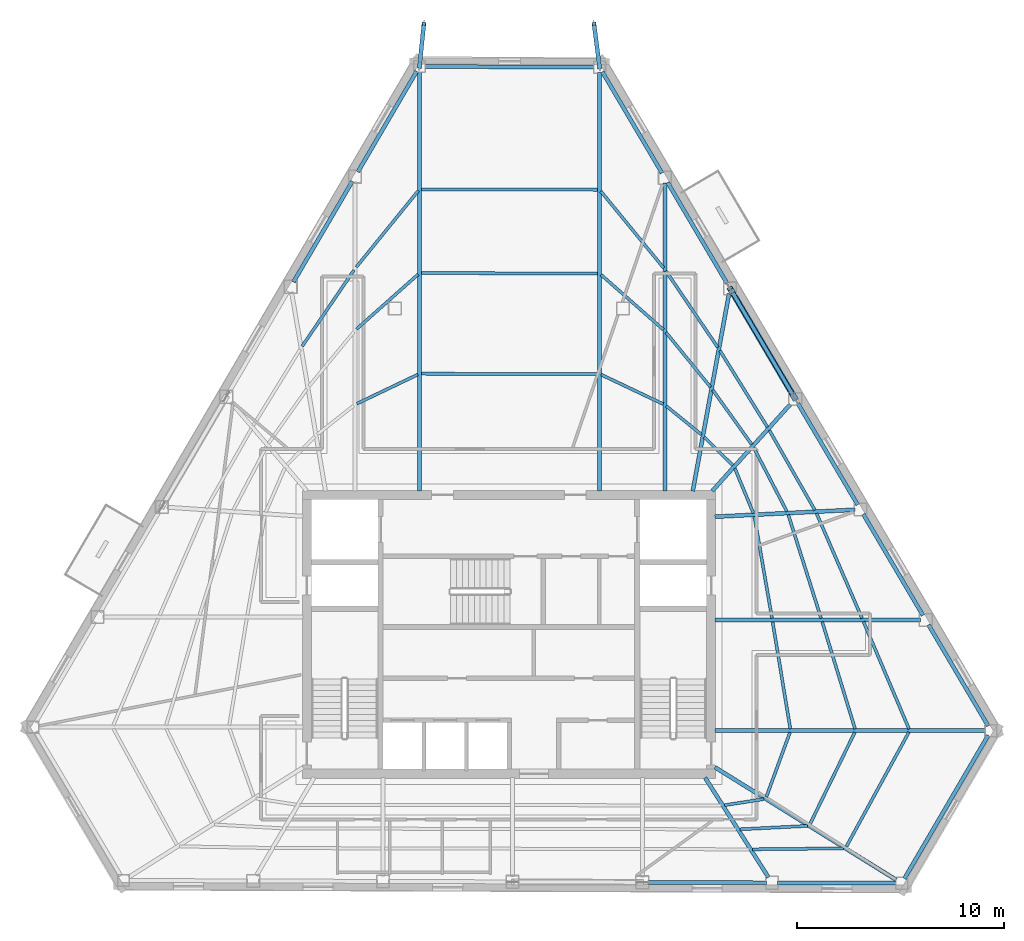
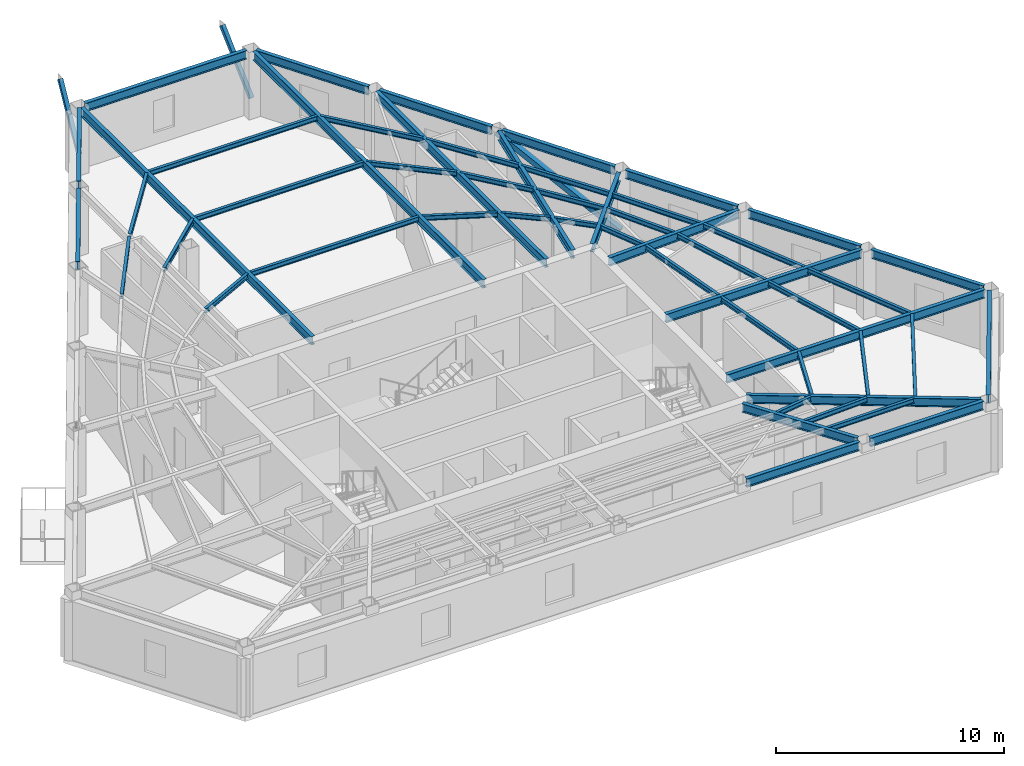
# One storey, part 2 of 10: 53 beams, 3 members.
"""IFC4 building model written with IfcOpenShell, lengths in metres."""

import ifcopenshell
import ifcopenshell.guid

model = None  # the IFC model being written
_history = None  # IfcOwnerHistory: only IFC2X3 demands one
_inside = {}  # id of a spatial element -> (the spatial element, [elements in it])
_under = {}  # id of a project, library or spatial element -> (it, [spatial elements below it])
_declared = {}  # id of a project -> (the project, [libraries it declares])
_typed = {}  # id of a type object -> (the type object, [elements of that type])
_made_of = {}  # id of a material, layer set ... -> (it, [elements and type objects made of it])


def new_model(schema):
    """Start an empty IFC model of exactly this schema.

    Asked for "IFC4X3", IfcOpenShell would pick the latest addendum, in which some entities
    have other attributes; the version numbers below select the first issue.
    IFC2X3 requires an IfcOwnerHistory on every rooted entity: one is made here for all.
    """
    global model, _history
    if schema == "IFC4X3":
        model = ifcopenshell.file(schema_version=(4, 3, 0, 0))
    else:
        model = ifcopenshell.file(schema=schema)
    _inside.clear()
    _under.clear()
    _declared.clear()
    _typed.clear()
    _made_of.clear()
    _history = None
    if model.schema == "IFC2X3":
        org = make("IfcOrganization", Name="unknown")
        user = make(
            "IfcPersonAndOrganization",
            ThePerson=make("IfcPerson", FamilyName="unknown"),
            TheOrganization=org,
        )
        app = make(
            "IfcApplication",
            ApplicationDeveloper=org,
            Version="unknown",
            ApplicationFullName="unknown",
            ApplicationIdentifier="unknown",
        )
        _history = make(
            "IfcOwnerHistory",
            OwningUser=user,
            OwningApplication=app,
            ChangeAction="ADDED",
            CreationDate=0,
        )
    return model


def make(cls, **values):
    """One entity of the class cls with the attributes given. An attribute that is None is left unset."""
    return model.create_entity(
        cls, **{name: value for name, value in values.items() if value is not None}
    )


def rooted(cls, **values):
    """An entity with a GlobalId (a new one), such as an element, a storey or a relation."""
    return make(cls, GlobalId=ifcopenshell.guid.new(), OwnerHistory=_history, **values)


def si_unit(unit_type, name, prefix=None):
    """IfcSIUnit, for example si_unit("LENGTHUNIT", "METRE", prefix="MILLI")."""
    return make("IfcSIUnit", UnitType=unit_type, Prefix=prefix, Name=name)


def assignment(units):
    """IfcUnitAssignment: the units of a project."""
    return None if units is None else make("IfcUnitAssignment", Units=units)


def point(xyz):
    """IfcCartesianPoint."""
    return None if xyz is None else make("IfcCartesianPoint", Coordinates=xyz)


def direction(xyz):
    """IfcDirection."""
    return None if xyz is None else make("IfcDirection", DirectionRatios=xyz)


def frame(location, z_axis=None, x_axis=None):
    """IfcAxis2Placement3D, a coordinate frame: its origin and axes. An axis left out is left unset."""
    return make(
        "IfcAxis2Placement3D",
        Location=point(location),
        Axis=direction(z_axis),
        RefDirection=direction(x_axis),
    )


def frame_2d(location, x_axis=None):
    """IfcAxis2Placement2D, a coordinate frame in the plane: its origin and x axis."""
    return make(
        "IfcAxis2Placement2D", Location=point(location), RefDirection=direction(x_axis)
    )


def origin():
    """The frame at (0, 0, 0) with its axes left unset."""
    return frame((0.0, 0.0, 0.0))


def origin_2d():
    """The frame at (0, 0) in the plane with its x axis left unset."""
    return frame_2d((0.0, 0.0))


def place(relative_to, where):
    """IfcLocalPlacement: puts the frame where relative to a parent placement (None: the world)."""
    return make(
        "IfcLocalPlacement", PlacementRelTo=relative_to, RelativePlacement=where
    )


def context(
    kind, dimensions, precision=None, world=None, true_north=None, identifier=None
):
    """IfcGeometricRepresentationContext, for example the 3D "Model" context."""
    return make(
        "IfcGeometricRepresentationContext",
        ContextIdentifier=identifier,
        ContextType=kind,
        CoordinateSpaceDimension=dimensions,
        Precision=precision,
        WorldCoordinateSystem=world,
        TrueNorth=true_north,
    )


def subcontext(parent, identifier, kind, view, scale=None):
    """IfcGeometricRepresentationSubContext, for example "Body" below "Model"."""
    return make(
        "IfcGeometricRepresentationSubContext",
        ContextIdentifier=identifier,
        ContextType=kind,
        ParentContext=parent,
        TargetScale=scale,
        TargetView=view,
    )


def project(units=None, contexts=None):
    """IfcProject with its units and contexts."""
    return rooted(
        "IfcProject",
        Name="project",
        RepresentationContexts=contexts,
        UnitsInContext=assignment(units),
    )


def spatial(cls, under=None, at=None, **own):
    """A site, building, storey or space (cls), placed at a placement, below another one or the project."""
    s = rooted(cls, ObjectPlacement=at, **own)
    if under is not None:
        _under.setdefault(under.id(), (under, []))[1].append(s)
    return s


def profile(cls, at=None, kind="AREA", **sizes):
    """A parametric profile (cls). Its sizes go by their IFC names, for example OverallWidth=200.0."""
    return make(cls, ProfileType=kind, Position=at, **sizes)


def hollow_rectangle(**sizes):
    """IfcRectangleHollowProfileDef."""
    return profile("IfcRectangleHollowProfileDef", **sizes)


def i_section(**sizes):
    """IfcIShapeProfileDef."""
    return profile("IfcIShapeProfileDef", **sizes)


def extrude(swept, where, along, depth):
    """IfcExtrudedAreaSolid: the profile swept, set in the frame where, extruded along a direction by depth."""
    return make(
        "IfcExtrudedAreaSolid",
        SweptArea=swept,
        Position=where,
        ExtrudedDirection=direction(along),
        Depth=depth,
    )


def shape(context_of_items, identifier, shape_type, items):
    """IfcShapeRepresentation: the items that make up one representation, for example the "Body"."""
    return make(
        "IfcShapeRepresentation",
        ContextOfItems=context_of_items,
        RepresentationIdentifier=identifier,
        RepresentationType=shape_type,
        Items=items,
    )


def material(Name=None, Category=None):
    """IfcMaterial."""
    return make("IfcMaterial", Name=Name, Category=Category)


def material_profile(
    of_material, cross_section, Name=None, Category=None, Priority=None
):
    """IfcMaterialProfile: a cross section and its material."""
    return make(
        "IfcMaterialProfile",
        Name=Name,
        Material=of_material,
        Profile=cross_section,
        Priority=Priority,
        Category=Category,
    )


def profile_set(profiles, Name=None, composite=None):
    """IfcMaterialProfileSet."""
    return make(
        "IfcMaterialProfileSet",
        Name=Name,
        MaterialProfiles=profiles,
        CompositeProfile=composite,
    )


def made_of(thing, what):
    """Note that an element or type object is made of a material, layer set ...; save() writes the relation."""
    if what is not None:
        _made_of.setdefault(what.id(), (what, []))[1].append(thing)
    return thing


def type_object(cls, material=None, **own):
    """A type object (cls), such as IfcWallType, which elements share."""
    return made_of(rooted(cls, **own), material)


def element(
    cls,
    number,
    at=None,
    inside=None,
    cuts=None,
    type_object=None,
    material=None,
    context=None,
    identifier="Body",
    shape_type=None,
    held_by="IfcProductDefinitionShape",
    body=None,
    shapes=None,
    **own,
):
    """One element of the class cls, such as IfcWall. Its Tag is "e" and its number.

    at: its placement. inside: the storey or other place that contains it. cuts: it is an
    opening in that element (IfcRelVoidsElement). A single representation is given by context,
    identifier, shape_type and body (its items); several are given by shapes. held_by: the class
    of the entity that holds the representations. save() writes the other relations.
    """
    e = rooted(cls, Tag="e%d" % number, ObjectPlacement=at, **own)
    if body is not None:
        shapes = [shape(context, identifier, shape_type, body)]
    if shapes is not None:
        e.Representation = make(held_by, Representations=shapes)
    if inside is not None:
        _inside.setdefault(inside.id(), (inside, []))[1].append(e)
    if cuts is not None:
        rooted(
            "IfcRelVoidsElement", RelatingBuildingElement=cuts, RelatedOpeningElement=e
        )
    if type_object is not None:
        _typed.setdefault(type_object.id(), (type_object, []))[1].append(e)
    return made_of(e, material)


def aggregate(whole, parts):
    """IfcRelAggregates: a whole, such as a stair, and the parts it consists of."""
    return rooted("IfcRelAggregates", RelatingObject=whole, RelatedObjects=parts)


def save(model, path):
    """Write the relations noted so far, then the file.

    IfcRelAggregates (storeys below a building ...), IfcRelContainedInSpatialStructure (elements
    in a storey), IfcRelDefinesByType, IfcRelAssociatesMaterial and IfcRelDeclares: one each for
    every whole, place, type object, material and project.
    """
    for whole, parts in _under.values():
        aggregate(whole, parts)
    for where, things in _inside.values():
        rooted(
            "IfcRelContainedInSpatialStructure",
            RelatedElements=things,
            RelatingStructure=where,
        )
    for kind, things in _typed.values():
        rooted("IfcRelDefinesByType", RelatedObjects=things, RelatingType=kind)
    for what, things in _made_of.values():
        rooted("IfcRelAssociatesMaterial", RelatedObjects=things, RelatingMaterial=what)
    for by, libraries in _declared.values():
        rooted("IfcRelDeclares", RelatingContext=by, RelatedDefinitions=libraries)
    model.write(path)


model = new_model("IFC4")

# Units and contexts
model_context = context("Model", 3, precision=1e-05, world=origin(), true_north=direction((0.0, 1.0)))
body_context = subcontext(model_context, "Body", "Model", "MODEL_VIEW")
ifc_project = project(units=[si_unit("LENGTHUNIT", "METRE"), si_unit("AREAUNIT", "SQUARE_METRE"), si_unit("VOLUMEUNIT", "CUBIC_METRE"), si_unit("PLANEANGLEUNIT", "RADIAN"), si_unit("MASSUNIT", "GRAM", prefix="KILO")], contexts=[model_context])

# Site, building, storey
site_placement = place(None, origin())
site = spatial("IfcSite", under=ifc_project, at=site_placement, CompositionType="ELEMENT")
building_placement = place(site_placement, origin())
building = spatial("IfcBuilding", under=site, at=building_placement, Name="Kavelnor Concourse Tower", CompositionType="ELEMENT")
storey_placement = place(building_placement, frame((0.0, 0.0, 199.64990234375)))
storey = spatial("IfcBuildingStorey", under=building, at=storey_placement, Name="L50", CompositionType="ELEMENT", Elevation=199.64990234375)

# Beams
ifc_material = material(Name="Steel Grade 350", Category="steel")
ifc_material_profile_1 = material_profile(ifc_material, i_section(OverallWidth=0.14599609375, OverallDepth=0.256103515625, WebThickness=0.00634765625, FlangeThickness=0.010986328125, at=origin_2d()), Name="250UB37")
ifc_profile_set_1 = profile_set([ifc_material_profile_1], Name="Steel Grade 350")
beam_type_1 = type_object("IfcBeamType", Name="BM-JOIST-250", PredefinedType="JOIST", material=ifc_profile_set_1)
beam_1_placement = place(storey_placement, frame((48.394287109375, 7.862060546875, 3.47216796875), z_axis=(0.988055201569, 0.154100352538, 0.0), x_axis=(-0.154100352538, 0.988055201569, 0.0)))
element("IfcBeam", 1, at=beam_1_placement, inside=storey, type_object=beam_type_1, Name="L50 Secondary Composite Joist 07-1", PredefinedType="JOIST", context=body_context, shape_type="SweptSolid", body=[
    extrude(i_section(OverallWidth=0.14599609375, OverallDepth=0.256103515625, WebThickness=0.00634765625, FlangeThickness=0.010986328125, at=origin_2d()), origin(), (0.0, 0.0, 1.0), 1.912353515625),
])
beam_2_placement = place(storey_placement, frame((49.12890625, 6.69970703125, 3.47216796875), z_axis=(0.998720901314, 0.050562449297, 0.0), x_axis=(-0.050562449297, 0.998720901314, 0.0)))
element("IfcBeam", 2, at=beam_2_placement, inside=storey, type_object=beam_type_1, Name="L50 Secondary Composite Joist 07-2", PredefinedType="JOIST", context=body_context, shape_type="SweptSolid", body=[
    extrude(i_section(OverallWidth=0.14599609375, OverallDepth=0.256103515625, WebThickness=0.00634765625, FlangeThickness=0.010986328125, at=origin_2d()), origin(), (0.0, 0.0, 1.0), 3.25439453125),
])
beam_3_placement = place(storey_placement, frame((49.739990234375, 5.735107421875, 3.47216796875), z_axis=(0.999940483514, 0.010910060942, 0.0), x_axis=(-0.010910060942, 0.999940483514, 0.0)))
element("IfcBeam", 3, at=beam_3_placement, inside=storey, type_object=beam_type_1, Name="L50 Secondary Composite Joist 07-3", PredefinedType="JOIST", context=body_context, shape_type="SweptSolid", body=[
    extrude(i_section(OverallWidth=0.14599609375, OverallDepth=0.256103515625, WebThickness=0.00634765625, FlangeThickness=0.010986328125, at=origin_2d()), origin(), (0.0, 0.0, 1.0), 4.385986328125),
])
beam_4_placement = place(storey_placement, frame((50.402099609375, 8.25390625, 3.47216796875), z_axis=(0.343731779688, 0.939067869556, 0.0), x_axis=(-0.939067869556, 0.343731779688, 0.0)))
element("IfcBeam", 4, at=beam_4_placement, inside=storey, type_object=beam_type_1, Name="L50 Secondary Composite Joist 08-1", PredefinedType="JOIST", context=body_context, shape_type="SweptSolid", body=[
    extrude(i_section(OverallWidth=0.14599609375, OverallDepth=0.256103515625, WebThickness=0.00634765625, FlangeThickness=0.010986328125, at=origin_2d()), origin(), (0.0, 0.0, 1.0), 3.320556640625),
])
beam_5_placement = place(storey_placement, frame((52.507080078125, 6.94873046875, 3.47216796875), z_axis=(0.4384890567, 0.898736528218, 0.0), x_axis=(-0.898736528218, 0.4384890567, 0.0)))
element("IfcBeam", 5, at=beam_5_placement, inside=storey, type_object=beam_type_1, Name="L50 Secondary Composite Joist 08-2", PredefinedType="JOIST", context=body_context, shape_type="SweptSolid", body=[
    extrude(i_section(OverallWidth=0.14599609375, OverallDepth=0.256103515625, WebThickness=0.00634765625, FlangeThickness=0.010986328125, at=origin_2d()), origin(), (0.0, 0.0, 1.0), 4.92578125),
])
beam_6_placement = place(storey_placement, frame((54.257568359375, 5.862060546875, 3.47216796875), z_axis=(0.479752549041, 0.877403836149, 0.0), x_axis=(-0.877403836149, 0.479752549041, 0.0)))
element("IfcBeam", 6, at=beam_6_placement, inside=storey, type_object=beam_type_1, Name="L50 Secondary Composite Joist 08-3", PredefinedType="JOIST", context=body_context, shape_type="SweptSolid", body=[
    extrude(i_section(OverallWidth=0.14599609375, OverallDepth=0.256103515625, WebThickness=0.00634765625, FlangeThickness=0.010986328125, at=origin_2d()), origin(), (0.0, 0.0, 1.0), 6.286376953125),
])
beam_7_placement = place(storey_placement, frame((51.5595703125, 11.54345703125, 3.47216796875), z_axis=(-0.162981466613, 0.986629130697, 0.0), x_axis=(-0.986629130697, -0.162981466613, 0.0)))
element("IfcBeam", 7, at=beam_7_placement, inside=storey, type_object=beam_type_1, Name="L50 Secondary Composite Joist 09-1", PredefinedType="JOIST", context=body_context, shape_type="SweptSolid", body=[
    extrude(i_section(OverallWidth=0.14599609375, OverallDepth=0.256103515625, WebThickness=0.00634765625, FlangeThickness=0.010986328125, at=origin_2d()), origin(), (0.0, 0.0, 1.0), 5.223388671875),
])
beam_8_placement = place(storey_placement, frame((54.679931640625, 11.540771484375, 3.47216796875), z_axis=(-0.293265496143, 0.956031039649, 0.0), x_axis=(-0.956031039649, -0.293265496143, 0.0)))
element("IfcBeam", 8, at=beam_8_placement, inside=storey, type_object=beam_type_1, Name="L50 Secondary Composite Joist 09-2", PredefinedType="JOIST", context=body_context, shape_type="SweptSolid", body=[
    extrude(i_section(OverallWidth=0.14599609375, OverallDepth=0.256103515625, WebThickness=0.00634765625, FlangeThickness=0.010986328125, at=origin_2d()), origin(), (0.0, 0.0, 1.0), 5.396240234375),
])
beam_9_placement = place(storey_placement, frame((57.281494140625, 11.53759765625, 3.47216796875), z_axis=(-0.390966526971, 0.920404897199, 0.0), x_axis=(-0.920404897199, -0.390966526971, 0.0)))
element("IfcBeam", 9, at=beam_9_placement, inside=storey, type_object=beam_type_1, Name="L50 Secondary Composite Joist 09-3", PredefinedType="JOIST", context=body_context, shape_type="SweptSolid", body=[
    extrude(i_section(OverallWidth=0.14599609375, OverallDepth=0.256103515625, WebThickness=0.00634765625, FlangeThickness=0.010986328125, at=origin_2d()), origin(), (0.0, 0.0, 1.0), 5.612060546875),
])
beam_10_placement = place(storey_placement, frame((50.6787109375, 16.87255859375, 3.47216796875), z_axis=(-0.170932916578, 0.985282669101, 0.0), x_axis=(-0.985282669101, -0.170932916578, 0.0)))
element("IfcBeam", 10, at=beam_10_placement, inside=storey, type_object=beam_type_1, Name="L50 Secondary Composite Joist 10-1", PredefinedType="JOIST", context=body_context, shape_type="SweptSolid", body=[
    extrude(i_section(OverallWidth=0.14599609375, OverallDepth=0.256103515625, WebThickness=0.00634765625, FlangeThickness=0.010986328125, at=origin_2d()), origin(), (0.0, 0.0, 1.0), 4.971923828125),
])
beam_11_placement = place(storey_placement, frame((53.04443359375, 16.86962890625, 3.47216796875), z_axis=(-0.302259378967, 0.953225717145, 0.0), x_axis=(-0.953225717145, -0.302259378967, 0.0)))
element("IfcBeam", 11, at=beam_11_placement, inside=storey, type_object=beam_type_1, Name="L50 Secondary Composite Joist 10-2", PredefinedType="JOIST", context=body_context, shape_type="SweptSolid", body=[
    extrude(i_section(OverallWidth=0.14599609375, OverallDepth=0.256103515625, WebThickness=0.00634765625, FlangeThickness=0.010986328125, at=origin_2d()), origin(), (0.0, 0.0, 1.0), 5.22998046875),
])
beam_12_placement = place(storey_placement, frame((55.017333984375, 16.86669921875, 3.47216796875), z_axis=(-0.39769442526, 0.917517925774, 0.0), x_axis=(-0.917517925774, -0.39769442526, 0.0)))
element("IfcBeam", 12, at=beam_12_placement, inside=storey, type_object=beam_type_1, Name="L50 Secondary Composite Joist 10-3", PredefinedType="JOIST", context=body_context, shape_type="SweptSolid", body=[
    extrude(i_section(OverallWidth=0.14599609375, OverallDepth=0.256103515625, WebThickness=0.00634765625, FlangeThickness=0.010986328125, at=origin_2d()), origin(), (0.0, 0.0, 1.0), 5.513427734375),
])
beam_13_placement = place(storey_placement, frame((49.779541015625, 21.941162109375, 3.47216796875), z_axis=(-0.383119677263, 0.923698713269, 0.0), x_axis=(-0.923698713269, -0.383119677263, 0.0)))
element("IfcBeam", 13, at=beam_13_placement, inside=storey, type_object=beam_type_1, Name="L50 Secondary Composite Joist 11-1", PredefinedType="JOIST", context=body_context, shape_type="SweptSolid", body=[
    extrude(i_section(OverallWidth=0.14599609375, OverallDepth=0.256103515625, WebThickness=0.00634765625, FlangeThickness=0.010986328125, at=origin_2d()), origin(), (0.0, 0.0, 1.0), 2.330322265625),
])
beam_14_placement = place(storey_placement, frame((51.3955078125, 22.018798828125, 3.47216796875), z_axis=(-0.461514508119, 0.887132661328, 0.0), x_axis=(-0.887132661328, -0.461514508119, 0.0)))
element("IfcBeam", 14, at=beam_14_placement, inside=storey, type_object=beam_type_1, Name="L50 Secondary Composite Joist 11-2", PredefinedType="JOIST", context=body_context, shape_type="SweptSolid", body=[
    extrude(i_section(OverallWidth=0.14599609375, OverallDepth=0.256103515625, WebThickness=0.00634765625, FlangeThickness=0.010986328125, at=origin_2d()), origin(), (0.0, 0.0, 1.0), 3.46875),
])
beam_15_placement = place(storey_placement, frame((52.7451171875, 22.084228515625, 3.47216796875), z_axis=(-0.495943026515, 0.868355062432, 0.0), x_axis=(-0.868355062432, -0.495943026515, 0.0)))
element("IfcBeam", 15, at=beam_15_placement, inside=storey, type_object=beam_type_1, Name="L50 Secondary Composite Joist 11-3", PredefinedType="JOIST", context=body_context, shape_type="SweptSolid", body=[
    extrude(i_section(OverallWidth=0.14599609375, OverallDepth=0.256103515625, WebThickness=0.00634765625, FlangeThickness=0.010986328125, at=origin_2d()), origin(), (0.0, 0.0, 1.0), 4.428955078125),
])
beam_16_placement = place(storey_placement, frame((48.789306640625, 24.238525390625, 3.47216796875), z_axis=(-0.710876596222, 0.703316760034, 0.0), x_axis=(-0.703316760034, -0.710876596222, 0.0)))
element("IfcBeam", 16, at=beam_16_placement, inside=storey, type_object=beam_type_1, Name="L50 Secondary Composite Joist 12-1", PredefinedType="JOIST", context=body_context, shape_type="SweptSolid", body=[
    extrude(i_section(OverallWidth=0.14599609375, OverallDepth=0.256103515625, WebThickness=0.00634765625, FlangeThickness=0.010986328125, at=origin_2d()), origin(), (0.0, 0.0, 1.0), 1.937744140625),
])
beam_17_placement = place(storey_placement, frame((49.701904296875, 25.247314453125, 3.47216796875), z_axis=(-0.582352546316, 0.812936351629, 0.0), x_axis=(-0.812936351629, -0.582352546316, 0.0)))
element("IfcBeam", 17, at=beam_17_placement, inside=storey, type_object=beam_type_1, Name="L50 Secondary Composite Joist 12-2", PredefinedType="JOIST", context=body_context, shape_type="SweptSolid", body=[
    extrude(i_section(OverallWidth=0.14599609375, OverallDepth=0.256103515625, WebThickness=0.00634765625, FlangeThickness=0.010986328125, at=origin_2d()), origin(), (0.0, 0.0, 1.0), 3.2314453125),
])
beam_18_placement = place(storey_placement, frame((50.45751953125, 26.0830078125, 3.47216796875), z_axis=(-0.527698561027, 0.849431709256, 0.0), x_axis=(-0.849431709256, -0.527698561027, 0.0)))
element("IfcBeam", 18, at=beam_18_placement, inside=storey, type_object=beam_type_1, Name="L50 Secondary Composite Joist 12-3", PredefinedType="JOIST", context=body_context, shape_type="SweptSolid", body=[
    extrude(i_section(OverallWidth=0.14599609375, OverallDepth=0.256103515625, WebThickness=0.00634765625, FlangeThickness=0.010986328125, at=origin_2d()), origin(), (0.0, 0.0, 1.0), 4.34423828125),
])
beam_19_placement = place(storey_placement, frame((47.279541015625, 25.719970703125, 3.47216796875), z_axis=(-0.776243657334, 0.630433013451, 0.0), x_axis=(-0.630433013451, -0.776243657334, 0.0)))
element("IfcBeam", 19, at=beam_19_placement, inside=storey, type_object=beam_type_1, Name="L50 Secondary Composite Joist 13-1", PredefinedType="JOIST", context=body_context, shape_type="SweptSolid", body=[
    extrude(i_section(OverallWidth=0.14599609375, OverallDepth=0.256103515625, WebThickness=0.00634765625, FlangeThickness=0.010986328125, at=origin_2d()), origin(), (0.0, 0.0, 1.0), 2.1884765625),
])
beam_20_placement = place(storey_placement, frame((47.712158203125, 28.015625, 3.47216796875), z_axis=(-0.631423255108, 0.775438374669, 0.0), x_axis=(-0.775438374669, -0.631423255108, 0.0)))
element("IfcBeam", 20, at=beam_20_placement, inside=storey, type_object=beam_type_1, Name="L50 Secondary Composite Joist 13-2", PredefinedType="JOIST", context=body_context, shape_type="SweptSolid", body=[
    extrude(i_section(OverallWidth=0.14599609375, OverallDepth=0.256103515625, WebThickness=0.00634765625, FlangeThickness=0.010986328125, at=origin_2d()), origin(), (0.0, 0.0, 1.0), 3.3955078125),
])
beam_21_placement = place(storey_placement, frame((48.068115234375, 29.922607421875, 3.47216796875), z_axis=(-0.561878795678, 0.827219571194, 0.0), x_axis=(-0.827219571194, -0.561878795678, 0.0)))
element("IfcBeam", 21, at=beam_21_placement, inside=storey, type_object=beam_type_1, Name="L50 Secondary Composite Joist 13-3", PredefinedType="JOIST", context=body_context, shape_type="SweptSolid", body=[
    extrude(i_section(OverallWidth=0.14599609375, OverallDepth=0.256103515625, WebThickness=0.00634765625, FlangeThickness=0.010986328125, at=origin_2d()), origin(), (0.0, 0.0, 1.0), 4.460693359375),
])
beam_22_placement = place(storey_placement, frame((45.431396484375, 27.19384765625, 3.47216796875), z_axis=(-0.903379205517, 0.428842641349, 0.0), x_axis=(-0.428842641349, -0.903379205517, 0.0)))
element("IfcBeam", 22, at=beam_22_placement, inside=storey, type_object=beam_type_1, Name="L50 Secondary Composite Joist 14-1", PredefinedType="JOIST", context=body_context, shape_type="SweptSolid", body=[
    extrude(i_section(OverallWidth=0.14599609375, OverallDepth=0.256103515625, WebThickness=0.00634765625, FlangeThickness=0.010986328125, at=origin_2d()), origin(), (0.0, 0.0, 1.0), 3.302001953125),
])
beam_23_placement = place(storey_placement, frame((45.445068359375, 30.776611328125, 3.47216796875), z_axis=(-0.750152029704, 0.66126540234, 0.0), x_axis=(-0.66126540234, -0.750152029704, 0.0)))
element("IfcBeam", 23, at=beam_23_placement, inside=storey, type_object=beam_type_1, Name="L50 Secondary Composite Joist 14-2", PredefinedType="JOIST", context=body_context, shape_type="SweptSolid", body=[
    extrude(i_section(OverallWidth=0.14599609375, OverallDepth=0.256103515625, WebThickness=0.00634765625, FlangeThickness=0.010986328125, at=origin_2d()), origin(), (0.0, 0.0, 1.0), 4.012939453125),
])
beam_24_placement = place(storey_placement, frame((45.455322265625, 33.755126953125, 3.47216796875), z_axis=(-0.633754736068, 0.773534055172, 0.0), x_axis=(-0.773534055172, -0.633754736068, 0.0)))
element("IfcBeam", 24, at=beam_24_placement, inside=storey, type_object=beam_type_1, Name="L50 Secondary Composite Joist 14-3", PredefinedType="JOIST", context=body_context, shape_type="SweptSolid", body=[
    extrude(i_section(OverallWidth=0.14599609375, OverallDepth=0.256103515625, WebThickness=0.00634765625, FlangeThickness=0.010986328125, at=origin_2d()), origin(), (0.0, 0.0, 1.0), 4.7822265625),
])
for number, where, z_axis, x_axis, name in (
    (25, (42.279052734375, 28.64794921875, 3.47216796875), (-0.999999494818, 0.001005168935, 0.0), (-0.001005168935, -0.999999494818, 0.0), "L50 Secondary Composite Joist 15-1"),
    (26, (42.279052734375, 33.4892578125, 3.47216796875), (-0.999998310838, 0.001838021019, 0.0), (-0.001838021019, -0.999998310838, 0.0), "L50 Secondary Composite Joist 15-2"),
    (27, (42.279052734375, 37.5234375, 3.47216796875), (-0.999996659624, 0.002584712791, 0.0), (-0.002584712791, -0.999996659624, 0.0), "L50 Secondary Composite Joist 15-3"),
):
    element("IfcBeam", number, at=place(storey_placement, frame(where, z_axis=z_axis, x_axis=x_axis)), inside=storey, type_object=beam_type_1, Name=name, PredefinedType="JOIST", context=body_context, shape_type="SweptSolid", body=[
        extrude(i_section(OverallWidth=0.14599609375, OverallDepth=0.256103515625, WebThickness=0.00634765625, FlangeThickness=0.010986328125, at=origin_2d()), origin(), (0.0, 0.0, 1.0), 8.5009765625),
    ])
beam_25_placement = place(storey_placement, frame((33.608642578125, 28.6181640625, 3.47216796875), z_axis=(-0.902043050005, -0.431646077171, 0.0), x_axis=(0.431646077171, -0.902043050005, 0.0)))
element("IfcBeam", 28, at=beam_25_placement, inside=storey, type_object=beam_type_1, Name="L50 Secondary Composite Joist 16-1", PredefinedType="JOIST", context=body_context, shape_type="SweptSolid", body=[
    extrude(i_section(OverallWidth=0.14599609375, OverallDepth=0.256103515625, WebThickness=0.00634765625, FlangeThickness=0.010986328125, at=origin_2d()), origin(), (0.0, 0.0, 1.0), 3.263427734375),
])
beam_26_placement = place(storey_placement, frame((33.62255859375, 33.446044921875, 3.47216796875), z_axis=(-0.74746014122, -0.664306659073, 0.0), x_axis=(0.664306659073, -0.74746014122, 0.0)))
element("IfcBeam", 29, at=beam_26_placement, inside=storey, type_object=beam_type_1, Name="L50 Secondary Composite Joist 16-2", PredefinedType="JOIST", context=body_context, shape_type="SweptSolid", body=[
    extrude(i_section(OverallWidth=0.14599609375, OverallDepth=0.256103515625, WebThickness=0.00634765625, FlangeThickness=0.010986328125, at=origin_2d()), origin(), (0.0, 0.0, 1.0), 3.975341796875),
])
beam_27_placement = place(storey_placement, frame((33.6328125, 37.4765625, 3.47216796875), z_axis=(-0.630650738892, -0.776066779044, 0.0), x_axis=(0.776066779044, -0.630650738892, 0.0)))
element("IfcBeam", 30, at=beam_27_placement, inside=storey, type_object=beam_type_1, Name="L50 Secondary Composite Joist 16-3", PredefinedType="JOIST", context=body_context, shape_type="SweptSolid", body=[
    extrude(i_section(OverallWidth=0.14599609375, OverallDepth=0.256103515625, WebThickness=0.00634765625, FlangeThickness=0.010986328125, at=origin_2d()), origin(), (0.0, 0.0, 1.0), 4.74462890625),
])
beam_28_placement = place(storey_placement, frame((30.534423828125, 33.65185546875, 3.47216796875), z_axis=(-0.562975427263, -0.826473634364, 0.0), x_axis=(0.826473634364, -0.562975427263, 0.0)))
element("IfcBeam", 31, at=beam_28_placement, inside=storey, type_object=beam_type_1, Name="L50 Secondary Composite Joist 17-3", PredefinedType="JOIST", context=body_context, shape_type="SweptSolid", body=[
    extrude(i_section(OverallWidth=0.14599609375, OverallDepth=0.256103515625, WebThickness=0.00634765625, FlangeThickness=0.010986328125, at=origin_2d()), origin(), (0.0, 0.0, 1.0), 4.444580078125),
])
ifc_material_profile_2 = material_profile(ifc_material, i_section(OverallWidth=0.18994140625, OverallDepth=0.4541015625, WebThickness=0.008544921875, FlangeThickness=0.0126953125, at=origin_2d()), Name="460UB67")
ifc_profile_set_2 = profile_set([ifc_material_profile_2], Name="Steel Grade 350")
beam_type_2 = type_object("IfcBeamType", Name="BM-PRIMARY-460", PredefinedType="BEAM", material=ifc_profile_set_2)
beam_29_placement = place(storey_placement, frame((33.68896484375, 23.0, 3.373046875), z_axis=(0.0, 1.0, 0.0), x_axis=(-1.0, 0.0, 0.0)))
element("IfcBeam", 32, at=beam_29_placement, inside=storey, type_object=beam_type_2, Name="L50 Primary Floor Girder F0-B0", PredefinedType="BEAM", context=body_context, shape_type="SweptSolid", body=[
    extrude(i_section(OverallWidth=0.18994140625, OverallDepth=0.4541015625, WebThickness=0.008544921875, FlangeThickness=0.0126953125, at=origin_2d()), origin(), (0.0, 0.0, 1.0), 20.2021484375),
])
beam_30_placement = place(storey_placement, frame((47.45068359375, 9.19384765625, 3.373046875), z_axis=(0.536634123701, -0.843815037363, 0.0), x_axis=(0.843815037363, 0.536634123701, 0.0)))
element("IfcBeam", 33, at=beam_30_placement, inside=storey, type_object=beam_type_2, Name="L50 Primary Floor Girder F1-B5", PredefinedType="BEAM", context=body_context, shape_type="SweptSolid", body=[
    extrude(i_section(OverallWidth=0.18994140625, OverallDepth=0.4541015625, WebThickness=0.008544921875, FlangeThickness=0.0126953125, at=origin_2d()), origin(), (0.0, 0.0, 1.0), 5.694580078125),
])
beam_31_placement = place(storey_placement, frame((47.926025390625, 9.68896484375, 3.373046875), z_axis=(0.849542191036, -0.527520677936, 0.0), x_axis=(0.527520677936, 0.849542191036, 0.0)))
element("IfcBeam", 34, at=beam_31_placement, inside=storey, type_object=beam_type_2, Name="L50 Primary Floor Girder F1-B6", PredefinedType="BEAM", context=body_context, shape_type="SweptSolid", body=[
    extrude(i_section(OverallWidth=0.18994140625, OverallDepth=0.4541015625, WebThickness=0.008544921875, FlangeThickness=0.0126953125, at=origin_2d()), origin(), (0.0, 0.0, 1.0), 10.28125),
])
beam_32_placement = place(storey_placement, frame((47.919921875, 11.455810546875, 3.373046875), z_axis=(1.0, 0.0, 0.0), x_axis=(0.0, 1.0, 0.0)))
element("IfcBeam", 35, at=beam_32_placement, inside=storey, type_object=beam_type_2, Name="L50 Primary Floor Girder F2-B0", PredefinedType="BEAM", context=body_context, shape_type="SweptSolid", body=[
    extrude(i_section(OverallWidth=0.18994140625, OverallDepth=0.4541015625, WebThickness=0.008544921875, FlangeThickness=0.0126953125, at=origin_2d()), origin(), (0.0, 0.0, 1.0), 13.05029296875),
])
beam_33_placement = place(storey_placement, frame((47.919921875, 16.784912109375, 3.373046875), z_axis=(1.0, 0.0, 0.0), x_axis=(0.0, 1.0, 0.0)))
element("IfcBeam", 36, at=beam_33_placement, inside=storey, type_object=beam_type_2, Name="L50 Primary Floor Girder F2-B1", PredefinedType="BEAM", context=body_context, shape_type="SweptSolid", body=[
    extrude(i_section(OverallWidth=0.18994140625, OverallDepth=0.4541015625, WebThickness=0.008544921875, FlangeThickness=0.0126953125, at=origin_2d()), origin(), (0.0, 0.0, 1.0), 9.906494140625),
])
beam_34_placement = place(storey_placement, frame((47.919921875, 21.7646484375, 3.373046875), z_axis=(0.998763194654, 0.049720026188, 0.0), x_axis=(-0.049720026188, 0.998763194654, 0.0)))
element("IfcBeam", 37, at=beam_34_placement, inside=storey, type_object=beam_type_2, Name="L50 Primary Floor Girder F2-B2", PredefinedType="BEAM", context=body_context, shape_type="SweptSolid", body=[
    extrude(i_section(OverallWidth=0.18994140625, OverallDepth=0.4541015625, WebThickness=0.008544921875, FlangeThickness=0.0126953125, at=origin_2d()), origin(), (0.0, 0.0, 1.0), 6.771240234375),
])
beam_35_placement = place(storey_placement, frame((47.801513671875, 23.01025390625, 3.373046875), z_axis=(0.669688712424, 0.742641924788, 0.0), x_axis=(-0.742641924788, 0.669688712424, 0.0)))
element("IfcBeam", 38, at=beam_35_placement, inside=storey, type_object=beam_type_2, Name="L50 Primary Floor Girder F2-B3", PredefinedType="BEAM", context=body_context, shape_type="SweptSolid", body=[
    extrude(i_section(OverallWidth=0.18994140625, OverallDepth=0.4541015625, WebThickness=0.008544921875, FlangeThickness=0.0126953125, at=origin_2d()), origin(), (0.0, 0.0, 1.0), 5.60546875),
])
beam_36_placement = place(storey_placement, frame((46.859130859375, 23.000732421875, 3.373046875), z_axis=(0.180809013148, 0.983518225944, 0.0), x_axis=(-0.983518225944, 0.180809013148, 0.0)))
element("IfcBeam", 39, at=beam_36_placement, inside=storey, type_object=beam_type_2, Name="L50 Primary Floor Girder F2-B4", PredefinedType="BEAM", context=body_context, shape_type="SweptSolid", body=[
    extrude(i_section(OverallWidth=0.18994140625, OverallDepth=0.4541015625, WebThickness=0.008544921875, FlangeThickness=0.0126953125, at=origin_2d()), origin(), (0.0, 0.0, 1.0), 9.670654296875),
])
beam_37_placement = place(storey_placement, frame((45.51171875, 23.0, 3.373046875), z_axis=(0.0, 1.0, 0.0), x_axis=(-1.0, 0.0, 0.0)))
element("IfcBeam", 40, at=beam_37_placement, inside=storey, type_object=beam_type_2, Name="L50 Primary Floor Girder F2-B5", PredefinedType="BEAM", context=body_context, shape_type="SweptSolid", body=[
    extrude(i_section(OverallWidth=0.18994140625, OverallDepth=0.4541015625, WebThickness=0.008544921875, FlangeThickness=0.0126953125, at=origin_2d()), origin(), (0.0, 0.0, 1.0), 14.842041015625),
])
beam_38_placement = place(storey_placement, frame((42.3681640625, 23.0, 3.373046875), z_axis=(0.0, 1.0, 0.0), x_axis=(-1.0, 0.0, 0.0)))
element("IfcBeam", 41, at=beam_38_placement, inside=storey, type_object=beam_type_2, Name="L50 Primary Floor Girder F2-B6", PredefinedType="BEAM", context=body_context, shape_type="SweptSolid", body=[
    extrude(i_section(OverallWidth=0.18994140625, OverallDepth=0.4541015625, WebThickness=0.008544921875, FlangeThickness=0.0126953125, at=origin_2d()), origin(), (0.0, 0.0, 1.0), 20.171142578125),
])
ifc_material_profile_3 = material_profile(ifc_material, i_section(OverallWidth=0.19091796875, OverallDepth=0.4599609375, WebThickness=0.010009765625, FlangeThickness=0.01611328125, at=origin_2d()), Name="460UB82")
ifc_profile_set_3 = profile_set([ifc_material_profile_3], Name="Steel Grade 350")
beam_type_3 = type_object("IfcBeamType", Name="BM-SPANDREL-Z3", PredefinedType="SPANDREL", material=ifc_profile_set_3)
for number, where, z_axis, x_axis, name in (
    (42, (33.55517578125, 43.2333984375, 3.3701171875), (-0.504992071313, -0.863123981772, 0.0), (0.863123981772, -0.504992071313, 0.0), "L50 Perimeter Tube Spandrel Beam F0-B0"),
    (43, (30.45068359375, 37.927490234375, 3.3701171875), (-0.504992071313, -0.863123981772, 0.0), (0.863123981772, -0.504992071313, 0.0), "L50 Perimeter Tube Spandrel Beam F0-B1"),
):
    element("IfcBeam", number, at=place(storey_placement, frame(where, z_axis=z_axis, x_axis=x_axis)), inside=storey, type_object=beam_type_3, Name=name, PredefinedType="SPANDREL", context=body_context, shape_type="SweptSolid", body=[
        extrude(i_section(OverallWidth=0.19091796875, OverallDepth=0.4599609375, WebThickness=0.010009765625, FlangeThickness=0.01611328125, at=origin_2d()), origin(), (0.0, 0.0, 1.0), 5.6171875),
    ])
beam_39_placement = place(storey_placement, frame((42.10302734375, 43.43212890625, 3.3701171875), z_axis=(-0.999993644654, 0.003565199943, 0.0), x_axis=(-0.003565199943, -0.999993644654, 0.0)))
element("IfcBeam", 44, at=beam_39_placement, inside=storey, type_object=beam_type_3, Name="L50 Chamfer Facet Spandrel Beam C0", PredefinedType="SPANDREL", context=body_context, shape_type="SweptSolid", body=[
    extrude(i_section(OverallWidth=0.19091796875, OverallDepth=0.4599609375, WebThickness=0.010009765625, FlangeThickness=0.01611328125, at=origin_2d()), origin(), (0.0, 0.0, 1.0), 8.14892578125),
])
beam_40_placement = place(storey_placement, frame((44.6904296875, 4.143798828125, 3.3701171875), z_axis=(0.99999357397, -0.003584971201, 0.0), x_axis=(0.003584971201, 0.99999357397, 0.0)))
element("IfcBeam", 45, at=beam_40_placement, inside=storey, type_object=beam_type_3, Name="L50 Perimeter Tube Spandrel Beam F1-B4", PredefinedType="SPANDREL", context=body_context, shape_type="SweptSolid", body=[
    extrude(i_section(OverallWidth=0.19091796875, OverallDepth=0.4599609375, WebThickness=0.010009765625, FlangeThickness=0.01611328125, at=origin_2d()), origin(), (0.0, 0.0, 1.0), 5.720458984375),
])
beam_41_placement = place(storey_placement, frame((50.94091796875, 4.12158203125, 3.3701171875), z_axis=(0.999993574519, -0.003584818208, 0.0), x_axis=(0.003584818208, 0.999993574519, 0.0)))
element("IfcBeam", 46, at=beam_41_placement, inside=storey, type_object=beam_type_3, Name="L50 Perimeter Tube Spandrel Beam F1-B5", PredefinedType="SPANDREL", context=body_context, shape_type="SweptSolid", body=[
    extrude(i_section(OverallWidth=0.19091796875, OverallDepth=0.4599609375, WebThickness=0.010009765625, FlangeThickness=0.01611328125, at=origin_2d()), origin(), (0.0, 0.0, 1.0), 5.720703125),
])
for number, where, z_axis, x_axis, name in (
    (47, (61.095703125, 11.683837890625, 3.3701171875), (-0.508090921445, 0.861303439878, 0.0), (-0.861303439878, -0.508090921445, 0.0), "L50 Perimeter Tube Spandrel Beam F2-B0"),
    (48, (57.951904296875, 17.01318359375, 3.3701171875), (-0.508090921445, 0.861303439878, 0.0), (-0.861303439878, -0.508090921445, 0.0), "L50 Perimeter Tube Spandrel Beam F2-B1"),
    (49, (54.80810546875, 22.34228515625, 3.3701171875), (-0.508090921445, 0.861303439878, 0.0), (-0.861303439878, -0.508090921445, 0.0), "L50 Perimeter Tube Spandrel Beam F2-B2"),
    (50, (51.66455078125, 27.671630859375, 3.3701171875), (-0.508090921445, 0.861303439878, 0.0), (-0.861303439878, -0.508090921445, 0.0), "L50 Perimeter Tube Spandrel Beam F2-B3"),
    (51, (48.52099609375, 33.0009765625, 3.3701171875), (-0.508090921445, 0.861303439878, 0.0), (-0.861303439878, -0.508090921445, 0.0), "L50 Perimeter Tube Spandrel Beam F2-B4"),
    (52, (45.377197265625, 38.330078125, 3.3701171875), (-0.508090921445, 0.861303439878, 0.0), (-0.861303439878, -0.508090921445, 0.0), "L50 Perimeter Tube Spandrel Beam F2-B5"),
):
    element("IfcBeam", number, at=place(storey_placement, frame(where, z_axis=z_axis, x_axis=x_axis)), inside=storey, type_object=beam_type_3, Name=name, PredefinedType="SPANDREL", context=body_context, shape_type="SweptSolid", body=[
        extrude(i_section(OverallWidth=0.19091796875, OverallDepth=0.4599609375, WebThickness=0.010009765625, FlangeThickness=0.01611328125, at=origin_2d()), origin(), (0.0, 0.0, 1.0), 5.657470703125),
    ])
beam_42_placement = place(storey_placement, frame((57.060302734375, 4.328857421875, 3.3701171875), z_axis=(0.505008278262, 0.863114499291, 0.0), x_axis=(-0.863114499291, 0.505008278262, 0.0)))
element("IfcBeam", 53, at=beam_42_placement, inside=storey, type_object=beam_type_3, Name="L50 Chamfer Facet Spandrel Beam C2", PredefinedType="SPANDREL", context=body_context, shape_type="SweptSolid", body=[
    extrude(i_section(OverallWidth=0.19091796875, OverallDepth=0.4599609375, WebThickness=0.010009765625, FlangeThickness=0.01611328125, at=origin_2d()), origin(), (0.0, 0.0, 1.0), 7.9921875),
])

# Members
ifc_material_profile_4 = material_profile(ifc_material, hollow_rectangle(XDim=0.199951171875, YDim=0.199951171875, WallThickness=0.011962890625, at=origin_2d()), Name="SHS 200x200x12")
ifc_profile_set_4 = profile_set([ifc_material_profile_4], Name="Steel Grade 350")
member_type_1 = type_object("IfcMemberType", Name="MBR-TERR-STRUT-200", PredefinedType="STRUT", material=ifc_profile_set_4)
member_1_placement = place(storey_placement, frame((42.3681640625, 43.43115234375, 0.900146484375), z_axis=(-0.077988734388, 0.605455605222, 0.792048778431), x_axis=(-0.991805821027, -0.127754504332, 0.0)))
element("IfcMember", 54, at=member_1_placement, inside=storey, type_object=member_type_1, Name="L50 Spiral Terrace Raking Knee Strut C0-A", PredefinedType="STRUT", context=body_context, shape_type="SweptSolid", body=[
    extrude(hollow_rectangle(XDim=0.199951171875, YDim=0.199951171875, WallThickness=0.011962890625, at=origin_2d()), origin(), (0.0, 0.0, 1.0), 3.452880859375),
])
member_2_placement = place(storey_placement, frame((33.68896484375, 43.462158203125, 0.900146484375), z_axis=(0.061849975946, 0.600421630699, 0.797288182443), x_axis=(-0.994736231173, 0.102468680049, 0.0)))
element("IfcMember", 55, at=member_2_placement, inside=storey, type_object=member_type_1, Name="L50 Spiral Terrace Raking Knee Strut C0-B", PredefinedType="STRUT", context=body_context, shape_type="SweptSolid", body=[
    extrude(hollow_rectangle(XDim=0.199951171875, YDim=0.199951171875, WallThickness=0.011962890625, at=origin_2d()), origin(), (0.0, 0.0, 1.0), 3.43017578125),
])
ifc_material_profile_5 = material_profile(ifc_material, hollow_rectangle(XDim=0.280029296875, YDim=0.280029296875, WallThickness=0.01611328125, at=origin_2d()), Name="SHS 280x280x16")
ifc_profile_set_5 = profile_set([ifc_material_profile_5], Name="Steel Grade 350")
member_type_2 = type_object("IfcMemberType", Name="MBR-TUBE-DIAG-Z3", PredefinedType="BRACE", material=ifc_profile_set_5)
member_3_placement = place(storey_placement, frame((51.799072265625, 27.443359375, 0.22021484375), z_axis=(-0.452763714113, 0.767581478361, 0.45367796206), x_axis=(-0.861322958739, -0.508057832091, 0.0)))
element("IfcMember", 56, at=member_3_placement, inside=storey, type_object=member_type_2, Name="L50 Framed-Tube Bracing Diagonal F2-B3", PredefinedType="BRACE", context=body_context, shape_type="SweptSolid", body=[
    extrude(hollow_rectangle(XDim=0.280029296875, YDim=0.280029296875, WallThickness=0.01611328125, at=origin_2d()), origin(), (0.0, 0.0, 1.0), 6.943115234375),
])

save(model, "model.ifc")
